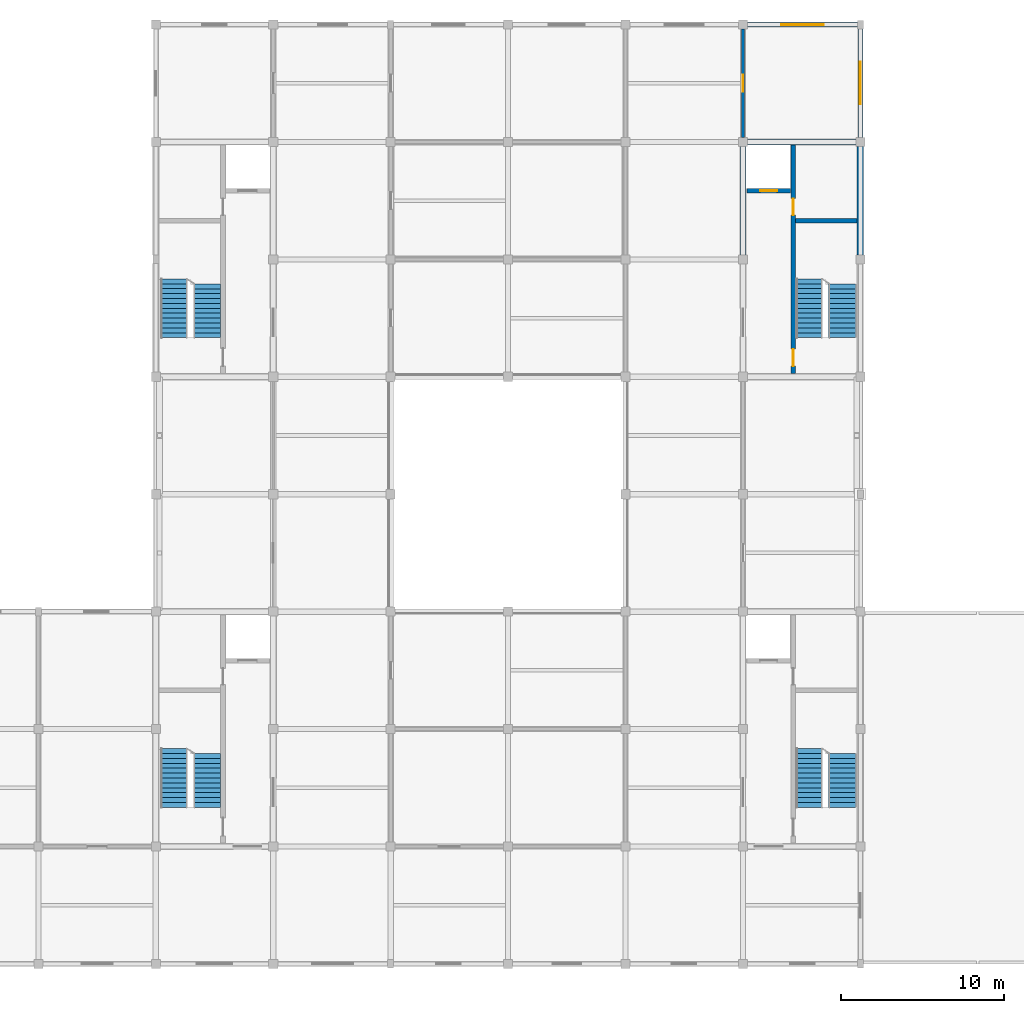
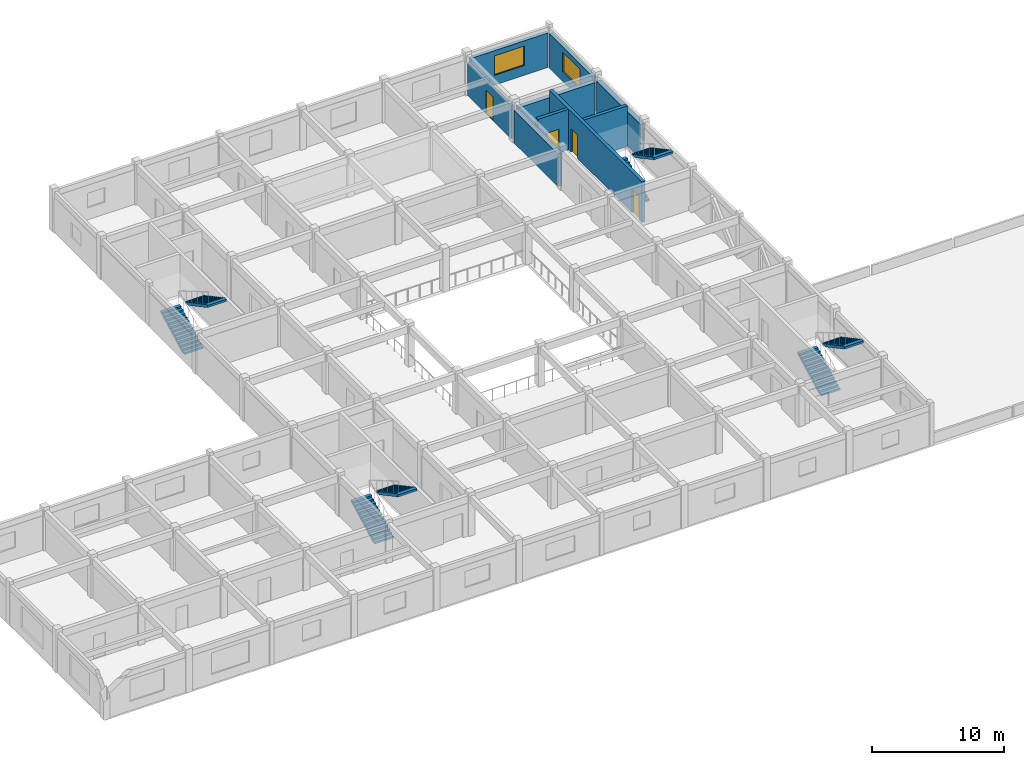
# One storey, part 7 of 8: 9 walls, 8 stair flights, 4 doors, 2 windows, 6 openings, 4 elements without a shape of their own.
"""IFC4 building model written with IfcOpenShell, lengths in metres."""

from ifc_helpers import new_model, si_unit, direction, frame, frame_2d, origin, place, context, subcontext, project, spatial, polyline, rectangle, outline, extrude, material, layer, layer_set, type_object, element, fill, aggregate, save


model = new_model("IFC4")

# Units and contexts
model_context = context("Model", 3, precision=1e-05, world=origin(), true_north=direction((0.0, 1.0)))
body_context = subcontext(model_context, "Body", "Model", "MODEL_VIEW")
ifc_project = project(units=[si_unit("LENGTHUNIT", "METRE"), si_unit("AREAUNIT", "SQUARE_METRE"), si_unit("VOLUMEUNIT", "CUBIC_METRE"), si_unit("PLANEANGLEUNIT", "RADIAN"), si_unit("MASSUNIT", "GRAM", prefix="KILO")], contexts=[model_context])

# Site, building, storey
site_placement = place(None, origin())
site = spatial("IfcSite", under=ifc_project, at=site_placement, CompositionType="ELEMENT")
building_placement = place(site_placement, origin())
building = spatial("IfcBuilding", under=site, at=building_placement, Name="Cendaluz Park School", CompositionType="ELEMENT")
storey_placement = place(building_placement, frame((0.0, 0.0, 42.800048828125)))
storey = spatial("IfcBuildingStorey", under=building, at=storey_placement, Name="L10", CompositionType="ELEMENT", Elevation=42.800048828125)

# Wall, opening, door
ifc_material_1 = material(Name="Gypsum Plasterboard on Cold-Formed Stud", Category="gypsum")
ifc_layer_1 = layer(ifc_material_1, 0.199951171875)
ifc_layer_set_1 = layer_set([ifc_layer_1], Name="Gypsum Plasterboard on Cold-Formed Stud")
wall_type_1 = type_object("IfcWallType", Name="W-AC20", PredefinedType="PARTITIONING", material=ifc_layer_set_1)
wall_1_placement = place(storey_placement, frame((100.800048828125, 57.8798828125, 0.0), z_axis=(0.0, 0.0, 1.0), x_axis=(0.0, 1.0, 0.0)))
wall_1 = element("IfcWall", 1, at=wall_1_placement, inside=storey, type_object=wall_type_1, Name="WL-FK-BO8", PredefinedType="PARTITIONING", context=body_context, shape_type="SweptSolid", body=[
    extrude(rectangle(XDim=6.64013671875, YDim=0.199951171875, at=frame_2d((3.320068359375, 0.0))), origin(), (0.0, 0.0, 1.0), 3.02001953125),
])
opening_1_placement = place(wall_1_placement, frame((2.7900390625, 0.0, 0.0)))
opening_1 = element("IfcOpeningElement", 2, at=opening_1_placement, cuts=wall_1, Name="Opening DCL-04", PredefinedType="OPENING", context=body_context, shape_type="SweptSolid", body=[
    extrude(rectangle(XDim=1.06005859375, YDim=2.159912109375, at=frame_2d((0.530029296875, 1.080078125))), frame((0.0, 0.112060546875, 0.0), z_axis=(0.0, -1.0, 0.0), x_axis=(1.0, 0.0, 0.0)), (0.0, 0.0, 1.0), 0.223876953125),
])
ifc_material_2 = material(Name="Solid Core Hardwood", Category="wood")
door_type_1 = type_object("IfcDoorType", Name="DCL-04", OperationType="NOTDEFINED", PredefinedType="DOOR", material=ifc_material_2)
door_1_placement = place(opening_1_placement, frame((1.06005859375, 0.0, 0.0), z_axis=(0.0, 0.0, 1.0), x_axis=(-1.0, 0.0, 0.0)))
door_1 = element("IfcDoor", 3, at=door_1_placement, inside=storey, type_object=door_type_1, Name="D-L10-031", OperationType="SINGLE_SWING_LEFT", OverallHeight=2.159912109375, OverallWidth=1.06005859375, PredefinedType="DOOR", context=body_context, shape_type="SweptSolid", body=[
    extrude(rectangle(XDim=1.06005859375, YDim=2.159912109375, at=frame_2d((0.530029296875, 1.080078125))), frame((0.0, 0.02490234375, 0.0), z_axis=(0.0, -1.0, 0.0), x_axis=(1.0, 0.0, 0.0)), (0.0, 0.0, 1.0), 0.050048828125),
])
fill(opening_1, door_1)

# Wall, opening, window
ifc_material_3 = material(Name="Cross-laminated timber CLT C24", Category="wood")
ifc_layer_2 = layer(ifc_material_3, 0.300048828125)
ifc_layer_set_2 = layer_set([ifc_layer_2], Name="Cross-laminated timber CLT C24")
wall_type_2 = type_object("IfcWallType", Name="W-EX30", PredefinedType="SOLIDWALL", material=ifc_layer_set_2)
wall_2_placement = place(storey_placement, frame((101.080078125, 64.800048828125, 0.0), z_axis=(0.0, 0.0, 1.0), x_axis=(1.0, 0.0, 0.0)))
wall_2 = element("IfcWall", 4, at=wall_2_placement, inside=storey, type_object=wall_type_2, Name="WL-FK-AC8", PredefinedType="SOLIDWALL", context=body_context, shape_type="SweptSolid", body=[
    extrude(rectangle(XDim=6.739990234375, YDim=0.300048828125, at=frame_2d((3.3701171875, 0.0))), origin(), (0.0, 0.0, 1.0), 3.179931640625),
])
opening_2_placement = place(wall_2_placement, frame((2.070068359375, 0.0, 0.89990234375)))
opening_2 = element("IfcOpeningElement", 5, at=opening_2_placement, cuts=wall_2, Name="Opening WN-05", PredefinedType="OPENING", context=body_context, shape_type="SweptSolid", body=[
    extrude(rectangle(XDim=2.60009765625, YDim=1.800048828125, at=frame_2d((1.300048828125, 0.89990234375))), frame((0.0, 0.162109375, 0.0), z_axis=(0.0, -1.0, 0.0), x_axis=(1.0, 0.0, 0.0)), (0.0, 0.0, 1.0), 0.323974609375),
])
ifc_material_4 = material(Name="Tempered Low-E Double Glazing", Category="glass")
window_type = type_object("IfcWindowType", Name="WN-05", PartitioningType="SINGLE_PANEL", PredefinedType="WINDOW", material=ifc_material_4)
window_1_placement = place(opening_2_placement, origin())
window_1 = element("IfcWindow", 6, at=window_1_placement, inside=storey, type_object=window_type, Name="WN-L10-025", OverallHeight=1.800048828125, OverallWidth=2.60009765625, PartitioningType="SINGLE_PANEL", PredefinedType="WINDOW", context=body_context, shape_type="SweptSolid", body=[
    extrude(rectangle(XDim=2.60009765625, YDim=1.800048828125, at=frame_2d((1.300048828125, 0.89990234375))), frame((0.0, 0.030029296875, 0.0), z_axis=(0.0, -1.0, 0.0), x_axis=(1.0, 0.0, 0.0)), (0.0, 0.0, 1.0), 0.06005859375),
])
fill(opening_2, window_1)

wall_3_placement = place(storey_placement, frame((108.0, 57.8798828125, 0.0), z_axis=(0.0, 0.0, 1.0), x_axis=(0.0, 1.0, 0.0)))
wall_3 = element("IfcWall", 7, at=wall_3_placement, inside=storey, type_object=wall_type_2, Name="WL-FK-AC9", PredefinedType="SOLIDWALL", context=body_context, shape_type="SweptSolid", body=[
    extrude(rectangle(XDim=6.66015625, YDim=0.300048828125, at=frame_2d((3.330078125, 0.0))), origin(), (0.0, 0.0, 1.0), 3.179931640625),
])
opening_3_placement = place(wall_3_placement, frame((2.030029296875, 0.0, 0.89990234375)))
opening_3 = element("IfcOpeningElement", 8, at=opening_3_placement, cuts=wall_3, Name="Opening WN-05", PredefinedType="OPENING", context=body_context, shape_type="SweptSolid", body=[
    extrude(rectangle(XDim=2.60009765625, YDim=1.800048828125, at=frame_2d((1.300048828125, 0.89990234375))), frame((0.0, 0.162109375, 0.0), z_axis=(0.0, -1.0, 0.0), x_axis=(1.0, 0.0, 0.0)), (0.0, 0.0, 1.0), 0.323974609375),
])
window_2_placement = place(opening_3_placement, origin())
window_2 = element("IfcWindow", 9, at=window_2_placement, inside=storey, type_object=window_type, Name="WN-L10-026", OverallHeight=1.800048828125, OverallWidth=2.60009765625, PartitioningType="SINGLE_PANEL", PredefinedType="WINDOW", context=body_context, shape_type="SweptSolid", body=[
    extrude(rectangle(XDim=2.60009765625, YDim=1.800048828125, at=frame_2d((1.300048828125, 0.89990234375))), frame((0.0, 0.030029296875, 0.0), z_axis=(0.0, -1.0, 0.0), x_axis=(1.0, 0.0, 0.0)), (0.0, 0.0, 1.0), 0.06005859375),
])
fill(opening_3, window_2)

# Wall, openings, doors
ifc_material_5 = material(Name="Concrete C40/50", Category="concrete")
ifc_layer_3 = layer(ifc_material_5, 0.280029296875)
ifc_layer_set_3 = layer_set([ifc_layer_3], Name="Concrete C40/50")
wall_type_3 = type_object("IfcWallType", Name="W-FW28", PredefinedType="SHEAR", material=ifc_layer_set_3)
wall_4_placement = place(storey_placement, frame((103.8798828125, 43.39990234375, 0.0), z_axis=(0.0, 0.0, 1.0), x_axis=(0.0, 1.0, 0.0)))
wall_4 = element("IfcWall", 10, at=wall_4_placement, inside=storey, type_object=wall_type_3, Name="WL-FK-BL2", PredefinedType="SHEAR", context=body_context, shape_type="SweptSolid", body=[
    extrude(rectangle(XDim=14.0, YDim=0.280029296875, at=frame_2d((7.0, 0.0))), origin(), (0.0, 0.0, 1.0), 3.75),
])
opening_4_placement = place(wall_4_placement, frame((0.449951171875, 0.0, 0.0)))
opening_4 = element("IfcOpeningElement", 11, at=opening_4_placement, cuts=wall_4, Name="Opening DST-02", PredefinedType="OPENING", context=body_context, shape_type="SweptSolid", body=[
    extrude(rectangle(XDim=1.050048828125, YDim=2.14990234375, at=frame_2d((0.52490234375, 1.074951171875))), frame((0.0, 0.152099609375, 0.0), z_axis=(0.0, -1.0, 0.0), x_axis=(1.0, 0.0, 0.0)), (0.0, 0.0, 1.0), 0.303955078125),
])
opening_5_placement = place(wall_4_placement, frame((9.719970703125, 0.0, 0.0)))
opening_5 = element("IfcOpeningElement", 12, at=opening_5_placement, cuts=wall_4, Name="Opening DFC-01", PredefinedType="OPENING", context=body_context, shape_type="SweptSolid", body=[
    extrude(rectangle(XDim=1.0, YDim=2.14990234375, at=frame_2d((0.5, 1.074951171875))), frame((0.0, 0.152099609375, 0.0), z_axis=(0.0, -1.0, 0.0), x_axis=(1.0, 0.0, 0.0)), (0.0, 0.0, 1.0), 0.303955078125),
])
door_type_2 = type_object("IfcDoorType", Name="DFC-01", OperationType="NOTDEFINED", PredefinedType="DOOR", material=ifc_material_2)
door_2_placement = place(opening_5_placement, frame((1.0, 0.0, 0.0), z_axis=(0.0, 0.0, 1.0), x_axis=(-1.0, 0.0, 0.0)))
door_2 = element("IfcDoor", 13, at=door_2_placement, inside=storey, type_object=door_type_2, Name="D-L10-017", OperationType="SINGLE_SWING_RIGHT", OverallHeight=2.14990234375, OverallWidth=1.0, PredefinedType="DOOR", context=body_context, shape_type="SweptSolid", body=[
    extrude(rectangle(XDim=1.0, YDim=2.14990234375, at=frame_2d((0.5, 1.074951171875))), frame((0.0, 0.02490234375, 0.0), z_axis=(0.0, -1.0, 0.0), x_axis=(1.0, 0.0, 0.0)), (0.0, 0.0, 1.0), 0.050048828125),
])
fill(opening_5, door_2)
door_type_3 = type_object("IfcDoorType", Name="DST-02", OperationType="NOTDEFINED", PredefinedType="DOOR", material=ifc_material_2)
door_3_placement = place(opening_4_placement, frame((1.050048828125, 0.0, 0.0), z_axis=(0.0, 0.0, 1.0), x_axis=(-1.0, 0.0, 0.0)))
door_3 = element("IfcDoor", 14, at=door_3_placement, inside=storey, type_object=door_type_3, Name="D-L10-016", OperationType="SINGLE_SWING_RIGHT", OverallHeight=2.14990234375, OverallWidth=1.050048828125, PredefinedType="DOOR", context=body_context, shape_type="SweptSolid", body=[
    extrude(rectangle(XDim=1.050048828125, YDim=2.14990234375, at=frame_2d((0.52490234375, 1.074951171875))), frame((0.0, 0.02490234375, 0.0), z_axis=(0.0, -1.0, 0.0), x_axis=(1.0, 0.0, 0.0)), (0.0, 0.0, 1.0), 0.050048828125),
])
fill(opening_4, door_3)

# Wall
wall_5_placement = place(storey_placement, frame((104.02001953125, 52.780029296875, 0.0), z_axis=(0.0, 0.0, 1.0), x_axis=(1.0, 0.0, 0.0)))
element("IfcWall", 15, at=wall_5_placement, inside=storey, type_object=wall_type_3, Name="WL-FK-BL3", PredefinedType="SHEAR", context=body_context, shape_type="SweptSolid", body=[
    extrude(rectangle(XDim=3.780029296875, YDim=0.280029296875, at=frame_2d((1.89013671875, 0.0))), origin(), (0.0, 0.0, 1.0), 3.75),
])

# Wall, opening, door
wall_6_placement = place(storey_placement, frame((101.0400390625, 54.60009765625, 0.0), z_axis=(0.0, 0.0, 1.0), x_axis=(1.0, 0.0, 0.0)))
wall_6 = element("IfcWall", 16, at=wall_6_placement, inside=storey, type_object=wall_type_3, Name="WL-FK-BL4", PredefinedType="SHEAR", context=body_context, shape_type="SweptSolid", body=[
    extrude(rectangle(XDim=2.679931640625, YDim=0.280029296875, at=frame_2d((1.33984375, 0.0))), origin(), (0.0, 0.0, 1.0), 3.75),
])
opening_6_placement = place(wall_6_placement, frame((0.81494140625, 0.0, 0.0)))
opening_6 = element("IfcOpeningElement", 17, at=opening_6_placement, cuts=wall_6, Name="Opening LD-02", PredefinedType="OPENING", context=body_context, shape_type="SweptSolid", body=[
    extrude(rectangle(XDim=1.050048828125, YDim=2.199951171875, at=frame_2d((0.52490234375, 1.10009765625))), frame((0.0, 0.152099609375, 0.0), z_axis=(0.0, -1.0, 0.0), x_axis=(1.0, 0.0, 0.0)), (0.0, 0.0, 1.0), 0.303955078125),
])
ifc_material_6 = material(Name="Stainless Steel 316L", Category="steel")
door_type_4 = type_object("IfcDoorType", Name="LD-02", OperationType="DOUBLE_DOOR_SLIDING", PredefinedType="DOOR", material=ifc_material_6)
door_4_placement = place(opening_6_placement, frame((1.050048828125, 0.0, 0.0), z_axis=(0.0, 0.0, 1.0), x_axis=(-1.0, 0.0, 0.0)))
door_4 = element("IfcDoor", 18, at=door_4_placement, inside=storey, type_object=door_type_4, Name="D-L10-018", OperationType="DOUBLE_DOOR_SLIDING", OverallHeight=2.199951171875, OverallWidth=1.050048828125, PredefinedType="DOOR", context=body_context, shape_type="SweptSolid", body=[
    extrude(rectangle(XDim=1.050048828125, YDim=2.199951171875, at=frame_2d((0.52490234375, 1.10009765625))), frame((0.0, 0.02490234375, 0.0), z_axis=(0.0, -1.0, 0.0), x_axis=(1.0, 0.0, 0.0)), (0.0, 0.0, 1.0), 0.050048828125),
])
fill(opening_6, door_4)

# Walls
ifc_layer_4 = layer(ifc_material_5, 0.3798828125)
ifc_layer_set_4 = layer_set([ifc_layer_4], Name="Concrete C40/50")
wall_type_4 = type_object("IfcWallType", Name="W-SH38", PredefinedType="SHEAR", material=ifc_layer_set_4)
wall_7_placement = place(storey_placement, frame((100.800048828125, 50.679931640625, 0.0), z_axis=(0.0, 0.0, 1.0), x_axis=(0.0, 1.0, 0.0)))
element("IfcWall", 19, at=wall_7_placement, inside=storey, type_object=wall_type_4, Name="WL-FK-BK7", PredefinedType="SHEAR", context=body_context, shape_type="SweptSolid", body=[
    extrude(rectangle(XDim=6.64013671875, YDim=0.3798828125, at=frame_2d((3.320068359375, 0.0))), origin(), (0.0, 0.0, 1.0), 3.02001953125),
])
wall_8_placement = place(storey_placement, frame((108.0, 50.679931640625, 0.0), z_axis=(0.0, 0.0, 1.0), x_axis=(0.0, 1.0, 0.0)))
element("IfcWall", 20, at=wall_8_placement, inside=storey, type_object=wall_type_4, Name="WL-FK-BK9", PredefinedType="SHEAR", context=body_context, shape_type="SweptSolid", body=[
    extrude(rectangle(XDim=6.64013671875, YDim=0.3798828125, at=frame_2d((3.320068359375, 0.0))), origin(), (0.0, 0.0, 1.0), 3.179931640625),
])
wall_9_placement = place(storey_placement, frame((101.080078125, 57.60009765625, 0.0), z_axis=(0.0, 0.0, 1.0), x_axis=(1.0, 0.0, 0.0)))
element("IfcWall", 21, at=wall_9_placement, inside=storey, type_object=wall_type_4, Name="WL-FK-BL1", PredefinedType="SHEAR", context=body_context, shape_type="SweptSolid", body=[
    extrude(rectangle(XDim=6.639892578125, YDim=0.3798828125, at=frame_2d((3.31982421875, 0.0))), origin(), (0.0, 0.0, 1.0), 3.02001953125),
])

# Stair, stair flight
stair_type = type_object("IfcStairType", Name="ST-400-165", PredefinedType="HALF_TURN_STAIR", material=ifc_material_3)
stair_1_placement = place(storey_placement, origin())
stair_1 = element("IfcStair", 22, at=stair_1_placement, inside=storey, type_object=stair_type, Name="ST-L10-C1", PredefinedType="HALF_TURN_STAIR")
stair_flight_type_1 = type_object("IfcStairFlightType", Name="SF-12-160-165", PredefinedType="STRAIGHT", material=ifc_material_3)
stair_flight_1_placement = place(storey_placement, frame((67.93505859375, 20.10009765625, 2.079833984375), z_axis=(0.0, 0.0, 1.0), x_axis=(0.0, -1.0, 0.0)))
stair_flight_1 = element("IfcStairFlight", 23, at=stair_flight_1_placement, type_object=stair_flight_type_1, Name="SF-L10-C1-2", NumberOfRisers=12, NumberOfTreads=11, PredefinedType="STRAIGHT", RiserHeight=0.16, TreadLength=0.3, context=body_context, shape_type="SweptSolid", body=[
    extrude(outline(polyline([(0.0, 0.0), (0.0, 0.159912109375), (0.300048828125, 0.159912109375), (0.300048828125, 0.320068359375), (0.60009765625, 0.320068359375), (0.60009765625, 0.47998046875), (0.89990234375, 0.47998046875), (0.89990234375, 0.639892578125), (1.199951171875, 0.639892578125), (1.199951171875, 0.800048828125), (1.5, 0.800048828125), (1.5, 0.9599609375), (1.800048828125, 0.9599609375), (1.800048828125, 1.1201171875), (2.10009765625, 1.1201171875), (2.10009765625, 1.280029296875), (2.39990234375, 1.280029296875), (2.39990234375, 1.43994140625), (2.699951171875, 1.43994140625), (2.699951171875, 1.60009765625), (3.0, 1.60009765625), (3.0, 1.760009765625), (3.300048828125, 1.760009765625), (3.300048828125, 1.919921875), (3.300048828125, 1.55615234375), (0.38232421875, 0.0), (0.0, 0.0)])), frame((0.0, 0.824951171875, 0.0), z_axis=(0.0, -1.0, 0.0), x_axis=(1.0, 0.0, 0.0)), (0.0, 0.0, 1.0), 1.64990234375),
])

stair_2_placement = place(storey_placement, origin())
stair_2 = element("IfcStair", 24, at=stair_2_placement, inside=storey, type_object=stair_type, Name="ST-L10-C2", PredefinedType="HALF_TURN_STAIR")
stair_flight_2_placement = place(storey_placement, frame((106.885009765625, 20.10009765625, 2.079833984375), z_axis=(0.0, 0.0, 1.0), x_axis=(0.0, -1.0, 0.0)))
stair_flight_2 = element("IfcStairFlight", 25, at=stair_flight_2_placement, type_object=stair_flight_type_1, Name="SF-L10-C2-2", NumberOfRisers=12, NumberOfTreads=11, PredefinedType="STRAIGHT", RiserHeight=0.16, TreadLength=0.3, context=body_context, shape_type="SweptSolid", body=[
    extrude(outline(polyline([(0.0, 0.0), (0.0, 0.159912109375), (0.300048828125, 0.159912109375), (0.300048828125, 0.320068359375), (0.60009765625, 0.320068359375), (0.60009765625, 0.47998046875), (0.89990234375, 0.47998046875), (0.89990234375, 0.639892578125), (1.199951171875, 0.639892578125), (1.199951171875, 0.800048828125), (1.5, 0.800048828125), (1.5, 0.9599609375), (1.800048828125, 0.9599609375), (1.800048828125, 1.1201171875), (2.10009765625, 1.1201171875), (2.10009765625, 1.280029296875), (2.39990234375, 1.280029296875), (2.39990234375, 1.43994140625), (2.699951171875, 1.43994140625), (2.699951171875, 1.60009765625), (3.0, 1.60009765625), (3.0, 1.760009765625), (3.300048828125, 1.760009765625), (3.300048828125, 1.919921875), (3.300048828125, 1.55615234375), (0.38232421875, 0.0), (0.0, 0.0)])), frame((0.0, 0.824951171875, 0.0), z_axis=(0.0, -1.0, 0.0), x_axis=(1.0, 0.0, 0.0)), (0.0, 0.0, 1.0), 1.64990234375),
])

stair_3_placement = place(storey_placement, origin())
stair_3 = element("IfcStair", 26, at=stair_3_placement, inside=storey, type_object=stair_type, Name="ST-L10-C3", PredefinedType="HALF_TURN_STAIR")
stair_flight_3_placement = place(storey_placement, frame((67.93505859375, 48.89990234375, 2.079833984375), z_axis=(0.0, 0.0, 1.0), x_axis=(0.0, -1.0, 0.0)))
stair_flight_3 = element("IfcStairFlight", 27, at=stair_flight_3_placement, type_object=stair_flight_type_1, Name="SF-L10-C3-2", NumberOfRisers=12, NumberOfTreads=11, PredefinedType="STRAIGHT", RiserHeight=0.16, TreadLength=0.3, context=body_context, shape_type="SweptSolid", body=[
    extrude(outline(polyline([(0.0, 0.0), (0.0, 0.159912109375), (0.300048828125, 0.159912109375), (0.300048828125, 0.320068359375), (0.60009765625, 0.320068359375), (0.60009765625, 0.47998046875), (0.89990234375, 0.47998046875), (0.89990234375, 0.639892578125), (1.199951171875, 0.639892578125), (1.199951171875, 0.800048828125), (1.5, 0.800048828125), (1.5, 0.9599609375), (1.800048828125, 0.9599609375), (1.800048828125, 1.1201171875), (2.10009765625, 1.1201171875), (2.10009765625, 1.280029296875), (2.39990234375, 1.280029296875), (2.39990234375, 1.43994140625), (2.699951171875, 1.43994140625), (2.699951171875, 1.60009765625), (3.0, 1.60009765625), (3.0, 1.760009765625), (3.300048828125, 1.760009765625), (3.300048828125, 1.919921875), (3.300048828125, 1.55615234375), (0.38232421875, 0.0), (0.0, 0.0)])), frame((0.0, 0.824951171875, 0.0), z_axis=(0.0, -1.0, 0.0), x_axis=(1.0, 0.0, 0.0)), (0.0, 0.0, 1.0), 1.64990234375),
])

stair_4_placement = place(storey_placement, origin())
stair_4 = element("IfcStair", 28, at=stair_4_placement, inside=storey, type_object=stair_type, Name="ST-L10-C4", PredefinedType="HALF_TURN_STAIR")
stair_flight_4_placement = place(storey_placement, frame((106.885009765625, 48.89990234375, 2.079833984375), z_axis=(0.0, 0.0, 1.0), x_axis=(0.0, -1.0, 0.0)))
stair_flight_4 = element("IfcStairFlight", 29, at=stair_flight_4_placement, type_object=stair_flight_type_1, Name="SF-L10-C4-2", NumberOfRisers=12, NumberOfTreads=11, PredefinedType="STRAIGHT", RiserHeight=0.16, TreadLength=0.3, context=body_context, shape_type="SweptSolid", body=[
    extrude(outline(polyline([(0.0, 0.0), (0.0, 0.159912109375), (0.300048828125, 0.159912109375), (0.300048828125, 0.320068359375), (0.60009765625, 0.320068359375), (0.60009765625, 0.47998046875), (0.89990234375, 0.47998046875), (0.89990234375, 0.639892578125), (1.199951171875, 0.639892578125), (1.199951171875, 0.800048828125), (1.5, 0.800048828125), (1.5, 0.9599609375), (1.800048828125, 0.9599609375), (1.800048828125, 1.1201171875), (2.10009765625, 1.1201171875), (2.10009765625, 1.280029296875), (2.39990234375, 1.280029296875), (2.39990234375, 1.43994140625), (2.699951171875, 1.43994140625), (2.699951171875, 1.60009765625), (3.0, 1.60009765625), (3.0, 1.760009765625), (3.300048828125, 1.760009765625), (3.300048828125, 1.919921875), (3.300048828125, 1.55615234375), (0.38232421875, 0.0), (0.0, 0.0)])), frame((0.0, 0.824951171875, 0.0), z_axis=(0.0, -1.0, 0.0), x_axis=(1.0, 0.0, 0.0)), (0.0, 0.0, 1.0), 1.64990234375),
])

# Stair flight
stair_flight_type_2 = type_object("IfcStairFlightType", Name="SF-13-160-165", PredefinedType="STRAIGHT", material=ifc_material_3)
stair_flight_5_placement = place(storey_placement, frame((65.9150390625, 16.800048828125, 0.0), z_axis=(0.0, 0.0, 1.0), x_axis=(0.0, 1.0, 0.0)))
stair_flight_5 = element("IfcStairFlight", 30, at=stair_flight_5_placement, type_object=stair_flight_type_2, Name="SF-L10-C1-1", NumberOfRisers=13, NumberOfTreads=12, PredefinedType="STRAIGHT", RiserHeight=0.16, TreadLength=0.3, context=body_context, shape_type="SweptSolid", body=[
    extrude(outline(polyline([(0.0, 0.0), (0.0, 0.159912109375), (0.300048828125, 0.159912109375), (0.300048828125, 0.320068359375), (0.60009765625, 0.320068359375), (0.60009765625, 0.47998046875), (0.89990234375, 0.47998046875), (0.89990234375, 0.639892578125), (1.199951171875, 0.639892578125), (1.199951171875, 0.800048828125), (1.5, 0.800048828125), (1.5, 0.9599609375), (1.800048828125, 0.9599609375), (1.800048828125, 1.1201171875), (2.10009765625, 1.1201171875), (2.10009765625, 1.280029296875), (2.39990234375, 1.280029296875), (2.39990234375, 1.43994140625), (2.699951171875, 1.43994140625), (2.699951171875, 1.60009765625), (3.0, 1.60009765625), (3.0, 1.760009765625), (3.300048828125, 1.760009765625), (3.300048828125, 1.919921875), (3.60009765625, 1.919921875), (3.60009765625, 2.080078125), (3.60009765625, 1.716064453125), (0.38232421875, 0.0), (0.0, 0.0)])), frame((0.0, 0.824951171875, 0.0), z_axis=(0.0, -1.0, 0.0), x_axis=(1.0, 0.0, 0.0)), (0.0, 0.0, 1.0), 1.64990234375),
])

aggregate(stair_1, [stair_flight_5, stair_flight_1])

stair_flight_6_placement = place(storey_placement, frame((104.864990234375, 16.800048828125, 0.0), z_axis=(0.0, 0.0, 1.0), x_axis=(0.0, 1.0, 0.0)))
stair_flight_6 = element("IfcStairFlight", 31, at=stair_flight_6_placement, type_object=stair_flight_type_2, Name="SF-L10-C2-1", NumberOfRisers=13, NumberOfTreads=12, PredefinedType="STRAIGHT", RiserHeight=0.16, TreadLength=0.3, context=body_context, shape_type="SweptSolid", body=[
    extrude(outline(polyline([(0.0, 0.0), (0.0, 0.159912109375), (0.300048828125, 0.159912109375), (0.300048828125, 0.320068359375), (0.60009765625, 0.320068359375), (0.60009765625, 0.47998046875), (0.89990234375, 0.47998046875), (0.89990234375, 0.639892578125), (1.199951171875, 0.639892578125), (1.199951171875, 0.800048828125), (1.5, 0.800048828125), (1.5, 0.9599609375), (1.800048828125, 0.9599609375), (1.800048828125, 1.1201171875), (2.10009765625, 1.1201171875), (2.10009765625, 1.280029296875), (2.39990234375, 1.280029296875), (2.39990234375, 1.43994140625), (2.699951171875, 1.43994140625), (2.699951171875, 1.60009765625), (3.0, 1.60009765625), (3.0, 1.760009765625), (3.300048828125, 1.760009765625), (3.300048828125, 1.919921875), (3.60009765625, 1.919921875), (3.60009765625, 2.080078125), (3.60009765625, 1.716064453125), (0.38232421875, 0.0), (0.0, 0.0)])), frame((0.0, 0.824951171875, 0.0), z_axis=(0.0, -1.0, 0.0), x_axis=(1.0, 0.0, 0.0)), (0.0, 0.0, 1.0), 1.64990234375),
])

aggregate(stair_2, [stair_flight_6, stair_flight_2])

stair_flight_7_placement = place(storey_placement, frame((65.9150390625, 45.60009765625, 0.0), z_axis=(0.0, 0.0, 1.0), x_axis=(0.0, 1.0, 0.0)))
stair_flight_7 = element("IfcStairFlight", 32, at=stair_flight_7_placement, type_object=stair_flight_type_2, Name="SF-L10-C3-1", NumberOfRisers=13, NumberOfTreads=12, PredefinedType="STRAIGHT", RiserHeight=0.16, TreadLength=0.3, context=body_context, shape_type="SweptSolid", body=[
    extrude(outline(polyline([(0.0, 0.0), (0.0, 0.159912109375), (0.300048828125, 0.159912109375), (0.300048828125, 0.320068359375), (0.60009765625, 0.320068359375), (0.60009765625, 0.47998046875), (0.89990234375, 0.47998046875), (0.89990234375, 0.639892578125), (1.199951171875, 0.639892578125), (1.199951171875, 0.800048828125), (1.5, 0.800048828125), (1.5, 0.9599609375), (1.800048828125, 0.9599609375), (1.800048828125, 1.1201171875), (2.10009765625, 1.1201171875), (2.10009765625, 1.280029296875), (2.39990234375, 1.280029296875), (2.39990234375, 1.43994140625), (2.699951171875, 1.43994140625), (2.699951171875, 1.60009765625), (3.0, 1.60009765625), (3.0, 1.760009765625), (3.300048828125, 1.760009765625), (3.300048828125, 1.919921875), (3.60009765625, 1.919921875), (3.60009765625, 2.080078125), (3.60009765625, 1.716064453125), (0.38232421875, 0.0), (0.0, 0.0)])), frame((0.0, 0.824951171875, 0.0), z_axis=(0.0, -1.0, 0.0), x_axis=(1.0, 0.0, 0.0)), (0.0, 0.0, 1.0), 1.64990234375),
])

aggregate(stair_3, [stair_flight_7, stair_flight_3])

stair_flight_8_placement = place(storey_placement, frame((104.864990234375, 45.60009765625, 0.0), z_axis=(0.0, 0.0, 1.0), x_axis=(0.0, 1.0, 0.0)))
stair_flight_8 = element("IfcStairFlight", 33, at=stair_flight_8_placement, type_object=stair_flight_type_2, Name="SF-L10-C4-1", NumberOfRisers=13, NumberOfTreads=12, PredefinedType="STRAIGHT", RiserHeight=0.16, TreadLength=0.3, context=body_context, shape_type="SweptSolid", body=[
    extrude(outline(polyline([(0.0, 0.0), (0.0, 0.159912109375), (0.300048828125, 0.159912109375), (0.300048828125, 0.320068359375), (0.60009765625, 0.320068359375), (0.60009765625, 0.47998046875), (0.89990234375, 0.47998046875), (0.89990234375, 0.639892578125), (1.199951171875, 0.639892578125), (1.199951171875, 0.800048828125), (1.5, 0.800048828125), (1.5, 0.9599609375), (1.800048828125, 0.9599609375), (1.800048828125, 1.1201171875), (2.10009765625, 1.1201171875), (2.10009765625, 1.280029296875), (2.39990234375, 1.280029296875), (2.39990234375, 1.43994140625), (2.699951171875, 1.43994140625), (2.699951171875, 1.60009765625), (3.0, 1.60009765625), (3.0, 1.760009765625), (3.300048828125, 1.760009765625), (3.300048828125, 1.919921875), (3.60009765625, 1.919921875), (3.60009765625, 2.080078125), (3.60009765625, 1.716064453125), (0.38232421875, 0.0), (0.0, 0.0)])), frame((0.0, 0.824951171875, 0.0), z_axis=(0.0, -1.0, 0.0), x_axis=(1.0, 0.0, 0.0)), (0.0, 0.0, 1.0), 1.64990234375),
])

aggregate(stair_4, [stair_flight_8, stair_flight_4])

save(model, "model.ifc")
